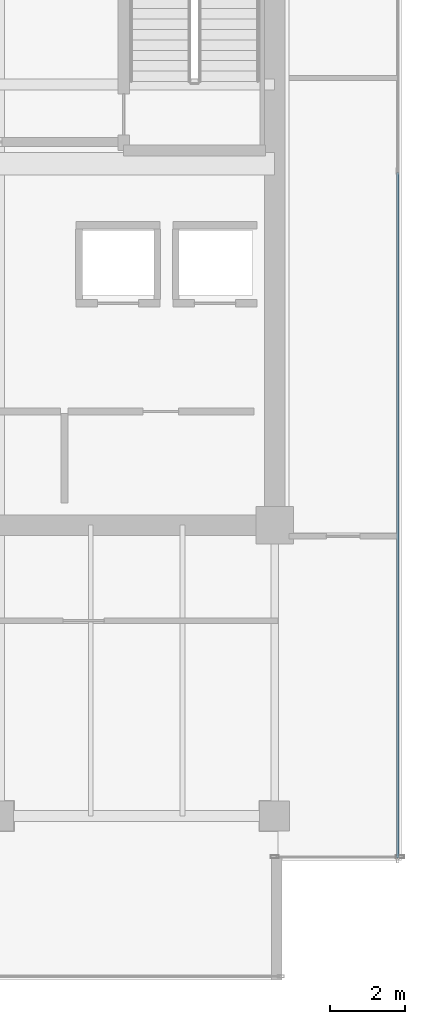
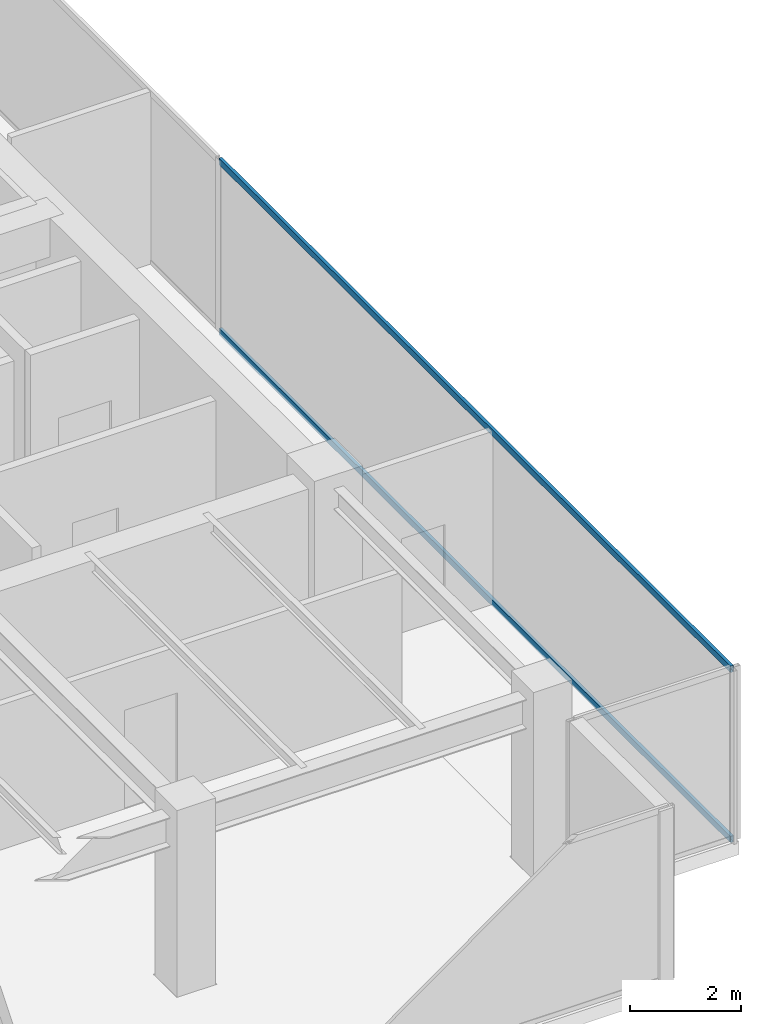
# One storey, part 23 of 36: 2 members, 1 element without a shape of its own.
"""IFC4 building model written with IfcOpenShell, lengths in metres."""

from ifc_helpers import new_model, si_unit, direction, frame, origin, origin_2d, place, context, subcontext, project, spatial, hollow_rectangle, extrude, source, transform, mapped, material, layer, layer_set, material_profile, profile_set, type_object, type_shapes, element, aggregate, save


model = new_model("IFC4")

# Units and contexts
model_context = context("Model", 3, precision=1e-05, world=origin(), true_north=direction((0.0, 1.0)))
body_context = subcontext(model_context, "Body", "Model", "MODEL_VIEW")
ifc_project = project(units=[si_unit("LENGTHUNIT", "METRE"), si_unit("AREAUNIT", "SQUARE_METRE"), si_unit("VOLUMEUNIT", "CUBIC_METRE"), si_unit("PLANEANGLEUNIT", "RADIAN"), si_unit("MASSUNIT", "GRAM", prefix="KILO")], contexts=[model_context])

# Site, building, storey
site_placement = place(None, origin())
site = spatial("IfcSite", under=ifc_project, at=site_placement, CompositionType="ELEMENT")
building_placement = place(site_placement, origin())
building = spatial("IfcBuilding", under=site, at=building_placement, Name="Haelvirn Gate Laboratories", CompositionType="ELEMENT")
storey_placement = place(building_placement, frame((0.0, 0.0, 254.699951171875)))
storey = spatial("IfcBuildingStorey", under=building, at=storey_placement, Name="L61", CompositionType="ELEMENT", Elevation=254.699951171875)

# Curtain wall, members
ifc_material_1 = material(Name="Anodised bronze unitised aluminium & triple low-E glass", Category="aluminium")
ifc_layer = layer(ifc_material_1, 0.176025390625, Name="CW-SYS-4")
ifc_layer_set = layer_set([ifc_layer], Name="Anodised bronze unitised aluminium & triple low-E glass")
curtain_wall_type = type_object("IfcCurtainWallType", Name="CW-SYS-4", PredefinedType="NOTDEFINED", material=ifc_layer_set)
curtain_wall_placement = place(storey_placement, origin())
curtain_wall = element("IfcCurtainWall", 1, at=curtain_wall_placement, inside=storey, type_object=curtain_wall_type, Name="L61 Unitised Curtain Wall CW-L61-P0-E07", PredefinedType="NOTDEFINED")
ifc_material_2 = material(Name="Extruded aluminium 6063-T6 (anodised bronze)", Category="aluminium")
ifc_material_profile = material_profile(ifc_material_2, hollow_rectangle(XDim=0.06494140625, YDim=0.139892578125, WallThickness=0.00390625, at=origin_2d()), Name="CWT-140x65x4")
ifc_profile_set = profile_set([ifc_material_profile], Name="Extruded aluminium 6063-T6 (anodised bronze)")
member_type = type_object("IfcMemberType", Name="CWT-T140", PredefinedType="USERDEFINED", material=ifc_profile_set)
shared_shape = source(origin(), body_context, "Body", "SweptSolid", [
    extrude(hollow_rectangle(XDim=0.06494140625, YDim=0.139892578125, WallThickness=0.00390625, at=origin_2d()), origin(), (0.0, 0.0, 1.0), 18.394775390625),
])
type_shapes(member_type, [shared_shape])
member_1_placement = place(storey_placement, frame((70.699951171875, 5.8701171875, 0.032470703125), z_axis=(0.0, 1.0, 0.0), x_axis=(-1.0, 0.0, 0.0)))
member_1 = element("IfcMember", 2, at=member_1_placement, type_object=member_type, Name="CW4 transom 1.1", ObjectType="TRANSOM", PredefinedType="USERDEFINED", context=body_context, shape_type="MappedRepresentation", body=[
    mapped(shared_shape, transform((0.0, 0.0, 0.0), scale=1.0)),
])
member_2_placement = place(storey_placement, frame((70.699951171875, 5.8701171875, 3.767578125), z_axis=(0.0, 1.0, 0.0), x_axis=(-1.0, 0.0, 0.0)))
member_2 = element("IfcMember", 3, at=member_2_placement, type_object=member_type, Name="CW4 transom 1.2", ObjectType="TRANSOM", PredefinedType="USERDEFINED", context=body_context, shape_type="MappedRepresentation", body=[
    mapped(shared_shape, transform((0.0, 0.0, 0.0), scale=1.0)),
])
aggregate(curtain_wall, [member_1, member_2])

save(model, "model.ifc")
